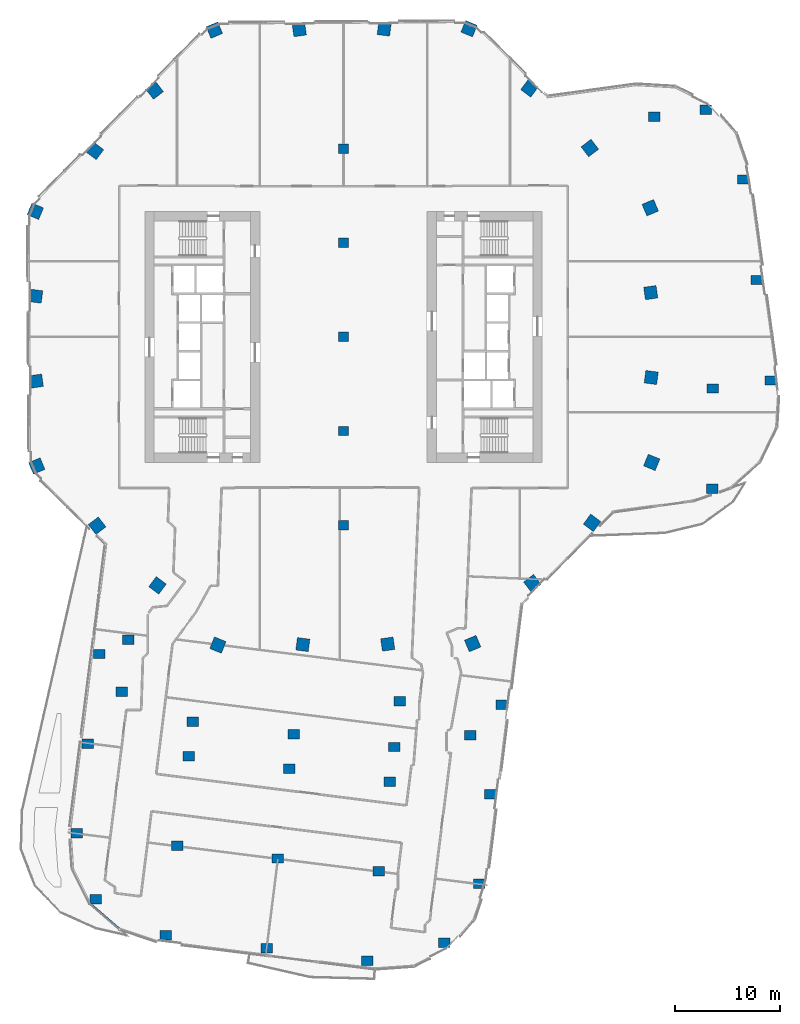
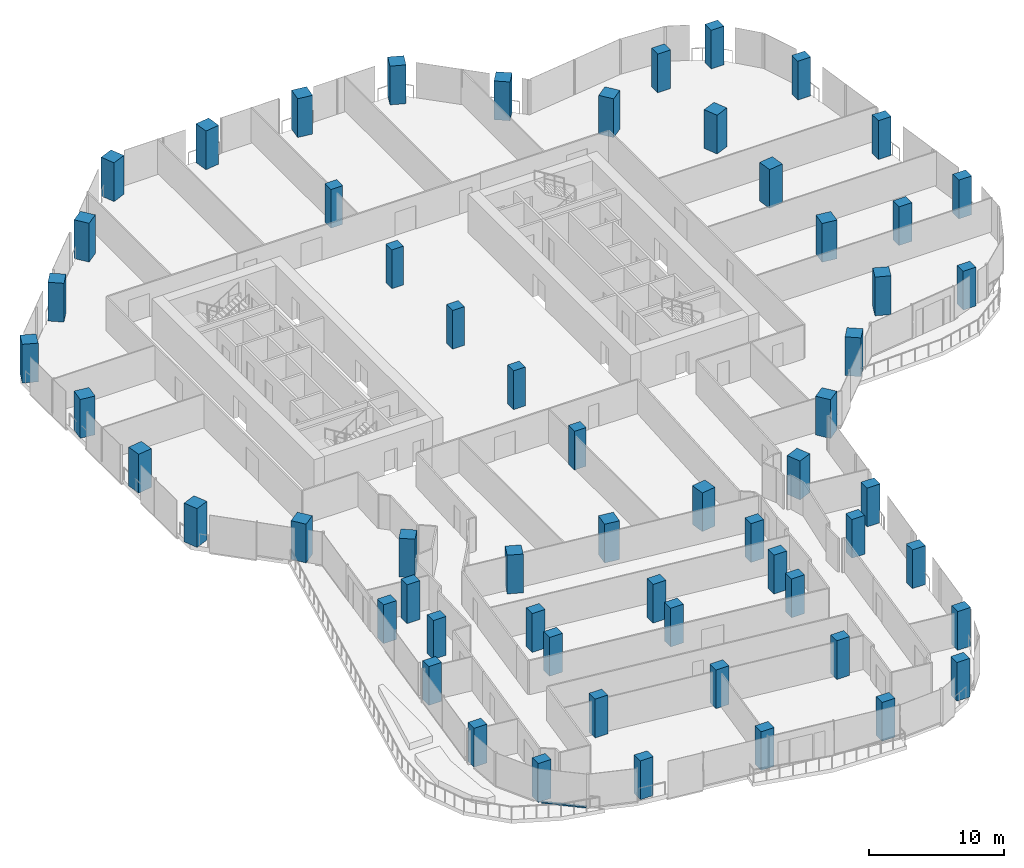
# One storey, part 1 of 29: 60 columns, 1 member, 1 element without a shape of its own.
"""IFC4 building model written with IfcOpenShell, lengths in metres."""

from ifc_helpers import new_model, si_unit, direction, frame, origin, origin_2d, place, context, subcontext, project, spatial, rectangle, extrude, material, material_profile, profile_set, type_object, element, aggregate, save


model = new_model("IFC4")

# Units and contexts
model_context = context("Model", 3, precision=1e-05, world=origin(), true_north=direction((0.0, 1.0)))
body_context = subcontext(model_context, "Body", "Model", "MODEL_VIEW")
ifc_project = project(units=[si_unit("LENGTHUNIT", "METRE"), si_unit("AREAUNIT", "SQUARE_METRE"), si_unit("VOLUMEUNIT", "CUBIC_METRE"), si_unit("PLANEANGLEUNIT", "RADIAN"), si_unit("MASSUNIT", "GRAM", prefix="KILO")], contexts=[model_context])

# Site, building, storey
site_placement = place(None, origin())
site = spatial("IfcSite", under=ifc_project, at=site_placement, CompositionType="ELEMENT")
building_placement = place(site_placement, origin())
building = spatial("IfcBuilding", under=site, at=building_placement, Name="Orlundy Tower", CompositionType="ELEMENT")
storey_placement = place(building_placement, frame((0.0, 0.0, 188.60009765625)))
storey = spatial("IfcBuildingStorey", under=building, at=storey_placement, Name="L49", CompositionType="ELEMENT", Elevation=188.60009765625)

# Columns
ifc_material_1 = material(Name="Concrete C70/85", Category="concrete")
ifc_material_profile_1 = material_profile(ifc_material_1, rectangle(XDim=1.0, YDim=0.89990234375, at=origin_2d()), Name="RC1000X900")
ifc_profile_set_1 = profile_set([ifc_material_profile_1], Name="Concrete C70/85")
column_type_1 = type_object("IfcColumnType", Name="RC COLUMN RC1000X900 C70/85", PredefinedType="COLUMN", material=ifc_profile_set_1)
for number, where, z_axis, x_axis, name in (
    (1, (0.0, -18.0, 0.0), (0.0, 0.0, 1.0), (1.0, 0.0, 0.0), "Column C-M1 L49"),
    (2, (0.0, -9.0, 0.0), (0.0, 0.0, 1.0), (1.0, 0.0, 0.0), "Column C-M2 L49"),
    (3, (0.0, 0.0, 0.0), (0.0, 0.0, 1.0), (1.0, 0.0, 0.0), "Column C-M3 L49"),
    (4, (0.0, 9.0, 0.0), (0.0, 0.0, 1.0), (1.0, 0.0, 0.0), "Column C-M4 L49"),
    (5, (0.0, 18.0, 0.0), (0.0, 0.0, 1.0), (1.0, 0.0, 0.0), "Column C-M5 L49"),
):
    element("IfcColumn", number, at=place(storey_placement, frame(where, z_axis=z_axis, x_axis=x_axis)), inside=storey, type_object=column_type_1, Name=name, PredefinedType="COLUMN", context=body_context, shape_type="SweptSolid", body=[
        extrude(rectangle(XDim=1.0, YDim=0.89990234375, at=origin_2d()), origin(), (0.0, 0.0, 1.0), 3.5),
    ])
ifc_material_2 = material(Name="Concrete C70/85", Category="concrete")
ifc_material_profile_2 = material_profile(ifc_material_2, rectangle(XDim=1.10009765625, YDim=0.89990234375, at=origin_2d()), Name="RC1100X900")
ifc_profile_set_2 = profile_set([ifc_material_profile_2], Name="Concrete C70/85")
column_type_2 = type_object("IfcColumnType", Name="RC COLUMN RC1100X900 C70/85", PredefinedType="COLUMN", material=ifc_profile_set_2)
for number, where, z_axis, x_axis, name in (
    (6, (35.258056640625, -14.512939453125, 0.0), (0.0, 0.0, 1.0), (1.0, 0.0, 0.0), "Column C-A1-1 L49"),
    (7, (40.85009765625, -4.1708984375, 0.0), (0.0, 0.0, 1.0), (1.0, 0.0, 0.0), "Column C-A2-5 L49"),
    (8, (35.302001953125, -4.93505859375, 0.0), (0.0, 0.0, 1.0), (1.0, 0.0, 0.0), "Column C-A2-6 L49"),
    (9, (39.528076171875, 5.43798828125, 0.0), (0.0, 0.0, 1.0), (1.0, 0.0, 0.0), "Column C-A3-5 L49"),
    (10, (38.2060546875, 15.048095703125, 0.0), (0.0, 0.0, 1.0), (1.0, 0.0, 0.0), "Column C-A4-5 L49"),
    (11, (34.656005859375, 21.718994140625, 0.0), (0.0, 0.0, 1.0), (1.0, 0.0, 0.0), "Column C-A5-5 L49"),
    (12, (29.702880859375, 21.0380859375, 0.0), (0.0, 0.0, 1.0), (1.0, 0.0, 0.0), "Column C-A5-6 L49"),
    (13, (-23.364990234375, -30.322021484375, 0.0), (0.0, 0.0, 1.0), (1.0, 0.0, 0.0), "Column C-B1-1 L49"),
    (14, (-24.44189453125, -38.887939453125, 0.0), (0.0, 0.0, 1.0), (1.0, 0.0, 0.0), "Column C-B1-2 L49"),
    (15, (-25.51611328125, -47.4541015625, 0.0), (0.0, 0.0, 1.0), (1.0, 0.0, 0.0), "Column C-B1-3 L49"),
    (16, (-23.68505859375, -53.758056640625, 0.0), (0.0, 0.0, 1.0), (1.0, 0.0, 0.0), "Column C-B1-5 L49"),
    (17, (-21.18994140625, -33.9150390625, 0.0), (0.0, 0.0, 1.0), (1.0, 0.0, 0.0), "Column C-B1-6 L49"),
    (18, (-20.56591796875, -28.9541015625, 0.0), (0.0, 0.0, 1.0), (1.0, 0.0, 0.0), "Column C-B1-7 L49"),
    (19, (-14.818115234375, -40.097900390625, 0.0), (0.0, 0.0, 1.0), (1.0, 0.0, 0.0), "Column C-B2-2 L49"),
    (20, (-15.89501953125, -48.6640625, 0.0), (0.0, 0.0, 1.0), (1.0, 0.0, 0.0), "Column C-B2-3 L49"),
    (21, (-16.971923828125, -57.22998046875, 0.0), (0.0, 0.0, 1.0), (1.0, 0.0, 0.0), "Column C-B2-5 L49"),
    (22, (-14.402099609375, -36.791015625, 0.0), (0.0, 0.0, 1.0), (1.0, 0.0, 0.0), "Column C-B2-6 L49"),
    (23, (-5.194091796875, -41.30810546875, 0.0), (0.0, 0.0, 1.0), (1.0, 0.0, 0.0), "Column C-B3-2 L49"),
    (24, (-6.27099609375, -49.8740234375, 0.0), (0.0, 0.0, 1.0), (1.0, 0.0, 0.0), "Column C-B3-3 L49"),
    (25, (-7.347900390625, -58.43994140625, 0.0), (0.0, 0.0, 1.0), (1.0, 0.0, 0.0), "Column C-B3-5 L49"),
    (26, (-4.778076171875, -38.0009765625, 0.0), (0.0, 0.0, 1.0), (1.0, 0.0, 0.0), "Column C-B3-6 L49"),
    (27, (4.429931640625, -42.51806640625, 0.0), (0.0, 0.0, 1.0), (1.0, 0.0, 0.0), "Column C-B4-2 L49"),
    (28, (3.35302734375, -51.083984375, 0.0), (0.0, 0.0, 1.0), (1.0, 0.0, 0.0), "Column C-B4-3 L49"),
    (29, (2.27587890625, -59.64990234375, 0.0), (0.0, 0.0, 1.0), (1.0, 0.0, 0.0), "Column C-B4-5 L49"),
    (30, (4.845947265625, -39.2109375, 0.0), (0.0, 0.0, 1.0), (1.0, 0.0, 0.0), "Column C-B4-6 L49"),
    (31, (5.39501953125, -34.844970703125, 0.0), (0.0, 0.0, 1.0), (1.0, 0.0, 0.0), "Column C-B4-7 L49"),
    (32, (15.131103515625, -35.162109375, 0.0), (0.0, 0.0, 1.0), (1.0, 0.0, 0.0), "Column C-B5-1 L49"),
    (33, (14.053955078125, -43.72802734375, 0.0), (0.0, 0.0, 1.0), (1.0, 0.0, 0.0), "Column C-B5-2 L49"),
    (34, (12.972900390625, -52.2939453125, 0.0), (0.0, 0.0, 1.0), (1.0, 0.0, 0.0), "Column C-B5-3 L49"),
    (35, (9.638916015625, -57.948974609375, 0.0), (0.0, 0.0, 1.0), (1.0, 0.0, 0.0), "Column C-B5-5 L49"),
    (36, (12.134033203125, -38.10498046875, 0.0), (0.0, 0.0, 1.0), (1.0, 0.0, 0.0), "Column C-B5-6 L49"),
):
    element("IfcColumn", number, at=place(storey_placement, frame(where, z_axis=z_axis, x_axis=x_axis)), inside=storey, type_object=column_type_2, Name=name, PredefinedType="COLUMN", context=body_context, shape_type="SweptSolid", body=[
        extrude(rectangle(XDim=1.10009765625, YDim=0.89990234375, at=origin_2d()), origin(), (0.0, 0.0, 1.0), 3.5),
    ])
ifc_material_3 = material(Name="Concrete C70/85", Category="concrete")
ifc_material_profile_3 = material_profile(ifc_material_3, rectangle(XDim=1.199951171875, YDim=1.199951171875, at=origin_2d()), Name="RC1200X1200")
ifc_profile_set_3 = profile_set([ifc_material_profile_3], Name="Concrete C70/85")
column_type_3 = type_object("IfcColumnType", Name="RC COLUMN RC1200X1200 C70/85", PredefinedType="COLUMN", material=ifc_profile_set_3)
for number, where, z_axis, x_axis, name in (
    (37, (12.007080078125, 29.469970703125, 0.0), (0.0, 0.0, 1.0), (0.377323624231, 0.926081466501, 0.0), "Column C-H01 L49"),
    (38, (17.781005859375, 23.762939453125, 0.0), (0.0, 0.0, 1.0), (0.599107447624, 0.800668636954, 0.0), "Column C-H02 L49"),
    (39, (23.554931640625, 18.055908203125, 0.0), (0.0, 0.0, 1.0), (0.793650742501, 0.60837365075, 0.0), "Column C-H03 L49"),
    (40, (29.3291015625, 12.34912109375, 0.0), (0.0, 0.0, 1.0), (0.921633032912, 0.388062562797, 0.0), "Column C-H04 L49"),
    (41, (29.3759765625, 4.22998046875, 0.0), (0.0, 0.0, 1.0), (0.989791161548, 0.142525283799, 0.0), "Column C-H05 L49"),
    (42, (29.423095703125, -3.887939453125, 0.0), (0.0, 0.0, 1.0), (0.991380955857, -0.131010687976, 0.0), "Column C-H06 L49"),
    (43, (29.469970703125, -12.007080078125, 0.0), (0.0, 0.0, 1.0), (0.926081466501, -0.377323624231, 0.0), "Column C-H07 L49"),
    (44, (23.762939453125, -17.781005859375, 0.0), (0.0, 0.0, 1.0), (0.800668636954, -0.599107447624, 0.0), "Column C-H08 L49"),
    (45, (18.055908203125, -23.554931640625, 0.0), (0.0, 0.0, 1.0), (0.60837365075, -0.793650742501, 0.0), "Column C-H09 L49"),
    (46, (12.34912109375, -29.3291015625, 0.0), (0.0, 0.0, 1.0), (0.388062562797, -0.921633032912, 0.0), "Column C-H10 L49"),
    (47, (4.22998046875, -29.3759765625, 0.0), (0.0, 0.0, 1.0), (0.142525283799, -0.989791161548, 0.0), "Column C-H11 L49"),
    (48, (-3.887939453125, -29.423095703125, 0.0), (0.0, 0.0, 1.0), (-0.131010687976, -0.991380955857, 0.0), "Column C-H12 L49"),
    (49, (-12.007080078125, -29.469970703125, 0.0), (0.0, 0.0, 1.0), (-0.377323624231, -0.926081466501, 0.0), "Column C-H13 L49"),
    (50, (-17.781005859375, -23.762939453125, 0.0), (0.0, 0.0, 1.0), (-0.599107447624, -0.800668636954, 0.0), "Column C-H14 L49"),
    (51, (-23.554931640625, -18.055908203125, 0.0), (0.0, 0.0, 1.0), (-0.793650742501, -0.60837365075, 0.0), "Column C-H15 L49"),
    (52, (-29.3291015625, -12.34912109375, 0.0), (0.0, 0.0, 1.0), (-0.921633032912, -0.388062562797, 0.0), "Column C-H16 L49"),
    (53, (-29.3759765625, -4.22998046875, 0.0), (0.0, 0.0, 1.0), (-0.989791161548, -0.142525283799, 0.0), "Column C-H17 L49"),
    (54, (-29.423095703125, 3.887939453125, 0.0), (0.0, 0.0, 1.0), (-0.991380955857, 0.131010687976, 0.0), "Column C-H18 L49"),
    (55, (-29.469970703125, 12.007080078125, 0.0), (0.0, 0.0, 1.0), (-0.926081466501, 0.377323624231, 0.0), "Column C-H19 L49"),
    (56, (-23.762939453125, 17.781005859375, 0.0), (0.0, 0.0, 1.0), (-0.800668636954, 0.599107447624, 0.0), "Column C-H20 L49"),
    (57, (-18.055908203125, 23.554931640625, 0.0), (0.0, 0.0, 1.0), (-0.60837365075, 0.793650742501, 0.0), "Column C-H21 L49"),
    (58, (-12.34912109375, 29.3291015625, 0.0), (0.0, 0.0, 1.0), (-0.388062562797, 0.921633032912, 0.0), "Column C-H22 L49"),
    (59, (-4.22998046875, 29.3759765625, 0.0), (0.0, 0.0, 1.0), (-0.142525283799, 0.989791161548, 0.0), "Column C-H23 L49"),
    (60, (3.887939453125, 29.423095703125, 0.0), (0.0, 0.0, 1.0), (0.131010687976, 0.991380955857, 0.0), "Column C-H24 L49"),
):
    element("IfcColumn", number, at=place(storey_placement, frame(where, z_axis=z_axis, x_axis=x_axis)), inside=storey, type_object=column_type_3, Name=name, PredefinedType="COLUMN", context=body_context, shape_type="SweptSolid", body=[
        extrude(rectangle(XDim=1.199951171875, YDim=1.199951171875, at=origin_2d()), origin(), (0.0, 0.0, 1.0), 3.5),
    ])

# Curtain wall, member
ifc_material_4 = material(Name="Aluminium bronze anodised", Category="aluminium")
curtain_wall_type = type_object("IfcCurtainWallType", Name="CW1 wall", PredefinedType="NOTDEFINED", material=ifc_material_4)
curtain_wall_placement = place(storey_placement, origin())
curtain_wall = element("IfcCurtainWall", 61, at=curtain_wall_placement, inside=storey, type_object=curtain_wall_type, Name="CW1 run 025", PredefinedType="NOTDEFINED")
ifc_material_5 = material(Name="Aluminium bronze anodised", Category="aluminium")
ifc_material_profile_4 = material_profile(ifc_material_5, rectangle(XDim=0.179931640625, YDim=0.1201171875, at=origin_2d()), Name="CW1 transom 180x120")
ifc_profile_set_4 = profile_set([ifc_material_profile_4], Name="Aluminium bronze anodised")
member_type = type_object("IfcMemberType", Name="CW1 transom 180x120", PredefinedType="USERDEFINED", material=ifc_profile_set_4)
member_placement = place(storey_placement, frame((-21.471435546875, -56.57470703125, 0.059814453125), z_axis=(-0.755629576233, 0.654999193527, 0.0), x_axis=(-0.654999193527, -0.755629576233, 0.0)))
member = element("IfcMember", 62, at=member_placement, type_object=member_type, Name="CW1 transom", ObjectType="TRANSOM", PredefinedType="USERDEFINED", context=body_context, shape_type="SweptSolid", body=[
    extrude(rectangle(XDim=0.179931640625, YDim=0.1201171875, at=origin_2d()), origin(), (0.0, 0.0, 1.0), 3.384521484375),
])
aggregate(curtain_wall, [member])

save(model, "model.ifc")
